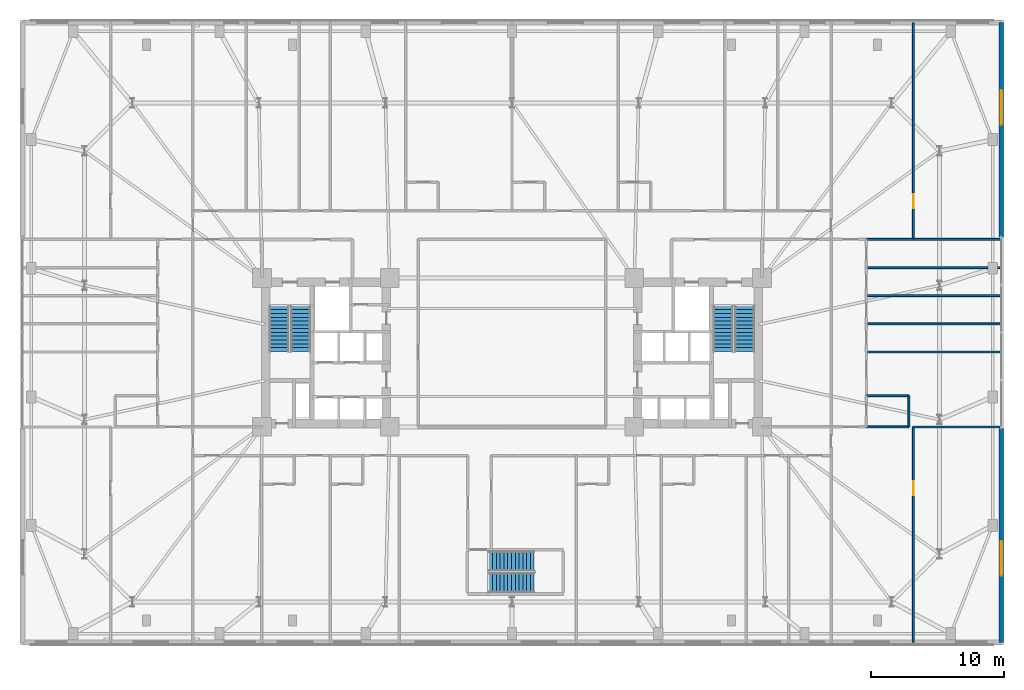
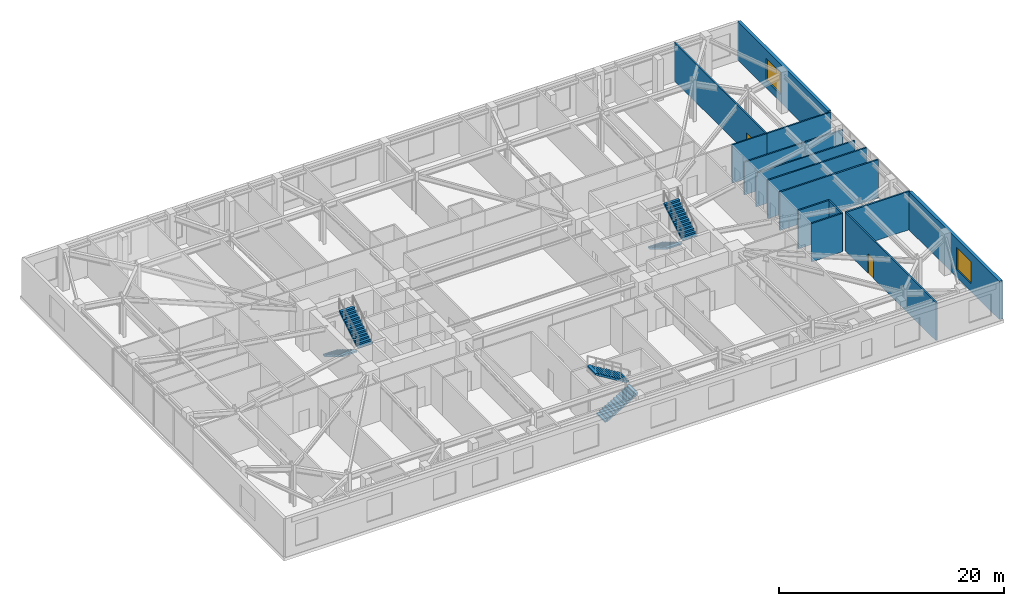
# One storey, part 17 of 21: 14 walls, 6 stair flights, 2 doors, 2 windows, 4 openings, 3 elements without a shape of their own.
"""IFC4 building model written with IfcOpenShell, lengths in metres."""

from ifc_helpers import new_model, si_unit, direction, frame, frame_2d, origin, place, context, subcontext, project, spatial, polyline, rectangle, outline, extrude, material, layer, layer_set, type_object, element, fill, aggregate, save


model = new_model("IFC4")

# Units and contexts
model_context = context("Model", 3, precision=1e-05, world=origin(), true_north=direction((0.0, 1.0)))
body_context = subcontext(model_context, "Body", "Model", "MODEL_VIEW")
ifc_project = project(units=[si_unit("LENGTHUNIT", "METRE"), si_unit("AREAUNIT", "SQUARE_METRE"), si_unit("VOLUMEUNIT", "CUBIC_METRE"), si_unit("PLANEANGLEUNIT", "RADIAN"), si_unit("MASSUNIT", "GRAM", prefix="KILO")], contexts=[model_context])

# Site, building, storey
site_placement = place(None, origin())
site = spatial("IfcSite", under=ifc_project, at=site_placement, CompositionType="ELEMENT")
building_placement = place(site_placement, origin())
building = spatial("IfcBuilding", under=site, at=building_placement, Name="Qobustan Lattice House", CompositionType="ELEMENT")
storey_placement = place(building_placement, frame((0.0, 0.0, 18.0)))
storey = spatial("IfcBuildingStorey", under=building, at=storey_placement, Name="L04", CompositionType="ELEMENT", Elevation=18.0)

# Wall, opening, window
ifc_material_1 = material(Name="Precast concrete C40/50", Category="concrete")
ifc_layer_1 = layer(ifc_material_1, 0.320068359375)
ifc_layer_set_1 = layer_set([ifc_layer_1], Name="Precast concrete C40/50")
wall_type_1 = type_object("IfcWallType", Name="WAL-EXT-STONE-320", PredefinedType="SOLIDWALL", material=ifc_layer_set_1)
wall_1_placement = place(storey_placement, frame((36.800048828125, 24.800048828125, 0.0), z_axis=(0.0, 0.0, 1.0), x_axis=(0.0, -1.0, 0.0)))
wall_1 = element("IfcWall", 1, at=wall_1_placement, inside=storey, type_object=wall_type_1, Name="L04 podium stone wall 3A", PredefinedType="SOLIDWALL", context=body_context, shape_type="SweptSolid", body=[
    extrude(rectangle(XDim=16.10009765625, YDim=0.320068359375, at=frame_2d((8.050048828125, 0.0))), origin(), (0.0, 0.0, 1.0), 4.169921875),
])
opening_1_placement = place(wall_1_placement, frame((5.0673828125, 0.0, 0.85009765625)))
opening_1 = element("IfcOpeningElement", 2, at=opening_1_placement, cuts=wall_1, Name="Opening WN-06", PredefinedType="OPENING", context=body_context, shape_type="SweptSolid", body=[
    extrude(rectangle(XDim=2.60009765625, YDim=2.39990234375, at=frame_2d((1.300048828125, 1.199951171875))), frame((0.0, 0.169921875, 0.0), z_axis=(0.0, -1.0, 0.0), x_axis=(1.0, 0.0, 0.0)), (0.0, 0.0, 1.0), 0.340087890625),
])
ifc_material_2 = material(Name="Double-glazed low-E aluminium window", Category="aluminium")
window_type = type_object("IfcWindowType", Name="WIN-POD-2600x2400", PartitioningType="SINGLE_PANEL", PredefinedType="WINDOW", material=ifc_material_2)
window_1_placement = place(opening_1_placement, origin())
window_1 = element("IfcWindow", 3, at=window_1_placement, inside=storey, type_object=window_type, Name="L04 Collaborative study room L04EN window", OverallHeight=2.39990234375, OverallWidth=2.60009765625, PartitioningType="SINGLE_PANEL", PredefinedType="WINDOW", context=body_context, shape_type="SweptSolid", body=[
    extrude(rectangle(XDim=2.60009765625, YDim=2.39990234375, at=frame_2d((1.300048828125, 1.199951171875))), frame((0.0, 0.030029296875, 0.0), z_axis=(0.0, -1.0, 0.0), x_axis=(1.0, 0.0, 0.0)), (0.0, 0.0, 1.0), 0.06005859375),
])
fill(opening_1, window_1)

wall_2_placement = place(storey_placement, frame((36.800048828125, -5.699951171875, 0.0), z_axis=(0.0, 0.0, 1.0), x_axis=(0.0, -1.0, 0.0)))
wall_2 = element("IfcWall", 4, at=wall_2_placement, inside=storey, type_object=wall_type_1, Name="L04 podium stone wall 3B", PredefinedType="SOLIDWALL", context=body_context, shape_type="SweptSolid", body=[
    extrude(rectangle(XDim=16.10009765625, YDim=0.320068359375, at=frame_2d((8.050048828125, 0.0))), origin(), (0.0, 0.0, 1.0), 4.169921875),
])
opening_2_placement = place(wall_2_placement, frame((8.484619140625, 0.0, 0.85009765625)))
opening_2 = element("IfcOpeningElement", 5, at=opening_2_placement, cuts=wall_2, Name="Opening WN-06", PredefinedType="OPENING", context=body_context, shape_type="SweptSolid", body=[
    extrude(rectangle(XDim=2.60009765625, YDim=2.39990234375, at=frame_2d((1.300048828125, 1.199951171875))), frame((0.0, 0.169921875, 0.0), z_axis=(0.0, -1.0, 0.0), x_axis=(1.0, 0.0, 0.0)), (0.0, 0.0, 1.0), 0.340087890625),
])
window_2_placement = place(opening_2_placement, origin())
window_2 = element("IfcWindow", 6, at=window_2_placement, inside=storey, type_object=window_type, Name="L04 Collaborative study room L04ES window", OverallHeight=2.39990234375, OverallWidth=2.60009765625, PartitioningType="SINGLE_PANEL", PredefinedType="WINDOW", context=body_context, shape_type="SweptSolid", body=[
    extrude(rectangle(XDim=2.60009765625, YDim=2.39990234375, at=frame_2d((1.300048828125, 1.199951171875))), frame((0.0, 0.030029296875, 0.0), z_axis=(0.0, -1.0, 0.0), x_axis=(1.0, 0.0, 0.0)), (0.0, 0.0, 1.0), 0.06005859375),
])
fill(opening_2, window_2)

# Wall, opening, door
ifc_material_3 = material(Name="Acoustic twin-stud gypsum partition", Category="gypsum")
ifc_layer_2 = layer(ifc_material_3, 0.14990234375)
ifc_layer_set_2 = layer_set([ifc_layer_2], Name="Acoustic twin-stud gypsum partition")
wall_type_2 = type_object("IfcWallType", Name="WAL-PART-150", PredefinedType="PARTITIONING", material=ifc_layer_set_2)
wall_3_placement = place(storey_placement, frame((30.18994140625, 24.800048828125, 0.0), z_axis=(0.0, 0.0, 1.0), x_axis=(0.0, -1.0, 0.0)))
wall_3 = element("IfcWall", 7, at=wall_3_placement, inside=storey, type_object=wall_type_2, Name="L04 interior partition 111", PredefinedType="PARTITIONING", context=body_context, shape_type="SweptSolid", body=[
    extrude(rectangle(XDim=16.300048828125, YDim=0.14990234375, at=frame_2d((8.14990234375, 0.0))), origin(), (0.0, 0.0, 1.0), 4.169921875),
])
opening_3_placement = place(wall_3_placement, frame((12.90869140625, 0.0, 0.0)))
opening_3 = element("IfcOpeningElement", 8, at=opening_3_placement, cuts=wall_3, Name="Opening ID-02", PredefinedType="OPENING", context=body_context, shape_type="SweptSolid", body=[
    extrude(rectangle(XDim=1.050048828125, YDim=2.14990234375, at=frame_2d((0.52490234375, 1.074951171875))), frame((0.0, 0.0849609375, 0.0), z_axis=(0.0, -1.0, 0.0), x_axis=(1.0, 0.0, 0.0)), (0.0, 0.0, 1.0), 0.169921875),
])
ifc_material_4 = material(Name="Persian walnut timber and steel frame door", Category="steel")
door_type = type_object("IfcDoorType", Name="DOR-STUDY-1050x2150", OperationType="NOTDEFINED", PredefinedType="DOOR", material=ifc_material_4)
door_1_placement = place(opening_3_placement, origin())
door_1 = element("IfcDoor", 9, at=door_1_placement, inside=storey, type_object=door_type, Name="L04 Reading seminar room L04EN to Collaborative study room L04EN door", OperationType="SINGLE_SWING_RIGHT", OverallHeight=2.14990234375, OverallWidth=1.050048828125, PredefinedType="DOOR", context=body_context, shape_type="SweptSolid", body=[
    extrude(rectangle(XDim=1.050048828125, YDim=2.14990234375, at=frame_2d((0.52490234375, 1.074951171875))), frame((0.0, 0.02490234375, 0.0), z_axis=(0.0, -1.0, 0.0), x_axis=(1.0, 0.0, 0.0)), (0.0, 0.0, 1.0), 0.050048828125),
])
fill(opening_3, door_1)

# Walls
wall_4_placement = place(storey_placement, frame((30.18994140625, 8.5, 0.0), z_axis=(0.0, 0.0, 1.0), x_axis=(-1.0, 0.0, 0.0)))
element("IfcWall", 10, at=wall_4_placement, inside=storey, type_object=wall_type_2, Name="L04 interior partition 112", PredefinedType="PARTITIONING", context=body_context, shape_type="SweptSolid", body=[
    extrude(rectangle(XDim=3.5400390625, YDim=0.14990234375, at=frame_2d((1.77001953125, 0.0))), origin(), (0.0, 0.0, 1.0), 4.169921875),
])
wall_5_placement = place(storey_placement, frame((36.800048828125, 8.5, 0.0), z_axis=(0.0, 0.0, 1.0), x_axis=(-1.0, 0.0, 0.0)))
element("IfcWall", 11, at=wall_5_placement, inside=storey, type_object=wall_type_2, Name="L04 interior partition 114", PredefinedType="PARTITIONING", context=body_context, shape_type="SweptSolid", body=[
    extrude(rectangle(XDim=6.610107421875, YDim=0.14990234375, at=frame_2d((3.30517578125, 0.0))), origin(), (0.0, 0.0, 1.0), 4.169921875),
])

# Wall, opening, door
wall_6_placement = place(storey_placement, frame((30.18994140625, -5.60009765625, 0.0), z_axis=(0.0, 0.0, 1.0), x_axis=(0.0, -1.0, 0.0)))
wall_6 = element("IfcWall", 12, at=wall_6_placement, inside=storey, type_object=wall_type_2, Name="L04 interior partition 115", PredefinedType="PARTITIONING", context=body_context, shape_type="SweptSolid", body=[
    extrude(rectangle(XDim=16.199951171875, YDim=0.14990234375, at=frame_2d((8.10009765625, 0.0))), origin(), (0.0, 0.0, 1.0), 4.169921875),
])
opening_4_placement = place(wall_6_placement, frame((4.077392578125, 0.0, 0.0)))
opening_4 = element("IfcOpeningElement", 13, at=opening_4_placement, cuts=wall_6, Name="Opening ID-02", PredefinedType="OPENING", context=body_context, shape_type="SweptSolid", body=[
    extrude(rectangle(XDim=1.050048828125, YDim=2.14990234375, at=frame_2d((0.52490234375, 1.074951171875))), frame((0.0, 0.0849609375, 0.0), z_axis=(0.0, -1.0, 0.0), x_axis=(1.0, 0.0, 0.0)), (0.0, 0.0, 1.0), 0.169921875),
])
door_2_placement = place(opening_4_placement, origin())
door_2 = element("IfcDoor", 14, at=door_2_placement, inside=storey, type_object=door_type, Name="L04 Reading seminar room L04ES to Collaborative study room L04ES door", OperationType="SINGLE_SWING_LEFT", OverallHeight=2.14990234375, OverallWidth=1.050048828125, PredefinedType="DOOR", context=body_context, shape_type="SweptSolid", body=[
    extrude(rectangle(XDim=1.050048828125, YDim=2.14990234375, at=frame_2d((0.52490234375, 1.074951171875))), frame((0.0, 0.02490234375, 0.0), z_axis=(0.0, -1.0, 0.0), x_axis=(1.0, 0.0, 0.0)), (0.0, 0.0, 1.0), 0.050048828125),
])
fill(opening_4, door_2)

# Walls
wall_7_placement = place(storey_placement, frame((26.64990234375, 2.155029296875, 0.0), z_axis=(0.0, 0.0, 1.0), x_axis=(1.0, 0.0, 0.0)))
element("IfcWall", 15, at=wall_7_placement, inside=storey, type_object=wall_type_2, Name="L04 interior partition 122", PredefinedType="PARTITIONING", context=body_context, shape_type="SweptSolid", body=[
    extrude(rectangle(XDim=10.150146484375, YDim=0.14990234375, at=frame_2d((5.0751953125, 0.0))), origin(), (0.0, 0.0, 1.0), 4.169921875),
])
wall_8_placement = place(storey_placement, frame((26.64990234375, 4.27001953125, 0.0), z_axis=(0.0, 0.0, 1.0), x_axis=(1.0, 0.0, 0.0)))
element("IfcWall", 16, at=wall_8_placement, inside=storey, type_object=wall_type_2, Name="L04 interior partition 123", PredefinedType="PARTITIONING", context=body_context, shape_type="SweptSolid", body=[
    extrude(rectangle(XDim=10.150146484375, YDim=0.14990234375, at=frame_2d((5.0751953125, 0.0))), origin(), (0.0, 0.0, 1.0), 3.655029296875),
])
wall_9_placement = place(storey_placement, frame((26.64990234375, 6.385009765625, 0.0), z_axis=(0.0, 0.0, 1.0), x_axis=(1.0, 0.0, 0.0)))
element("IfcWall", 17, at=wall_9_placement, inside=storey, type_object=wall_type_2, Name="L04 interior partition 124", PredefinedType="PARTITIONING", context=body_context, shape_type="SweptSolid", body=[
    extrude(rectangle(XDim=10.150146484375, YDim=0.14990234375, at=frame_2d((5.0751953125, 0.0))), origin(), (0.0, 0.0, 1.0), 3.554931640625),
])
ifc_material_5 = material(Name="High-mass acoustic twin-stud partition", Category="gypsum")
ifc_layer_3 = layer(ifc_material_5, 0.1650390625)
ifc_layer_set_3 = layer_set([ifc_layer_3], Name="High-mass acoustic twin-stud partition")
wall_type_3 = type_object("IfcWallType", Name="WAL-PART-165", PredefinedType="PARTITIONING", material=ifc_layer_set_3)
wall_10_placement = place(storey_placement, frame((30.18994140625, -5.60009765625, 0.0), z_axis=(0.0, 0.0, 1.0), x_axis=(1.0, 0.0, 0.0)))
element("IfcWall", 18, at=wall_10_placement, inside=storey, type_object=wall_type_3, Name="L04 interior partition 118", PredefinedType="PARTITIONING", context=body_context, shape_type="SweptSolid", body=[
    extrude(rectangle(XDim=6.610107421875, YDim=0.1650390625, at=frame_2d((3.30517578125, 0.0))), origin(), (0.0, 0.0, 1.0), 4.169921875),
])
wall_11_placement = place(storey_placement, frame((26.64990234375, 0.0400390625, 0.0), z_axis=(0.0, 0.0, 1.0), x_axis=(1.0, 0.0, 0.0)))
element("IfcWall", 19, at=wall_11_placement, inside=storey, type_object=wall_type_3, Name="L04 interior partition 121", PredefinedType="PARTITIONING", context=body_context, shape_type="SweptSolid", body=[
    extrude(rectangle(XDim=10.150146484375, YDim=0.1650390625, at=frame_2d((5.0751953125, 0.0))), origin(), (0.0, 0.0, 1.0), 4.169921875),
])
ifc_material_6 = material(Name="Moisture-resistant acoustic plumbing wall", Category="gypsum")
ifc_layer_4 = layer(ifc_material_6, 0.14990234375)
ifc_layer_set_4 = layer_set([ifc_layer_4], Name="Moisture-resistant acoustic plumbing wall")
wall_type_4 = type_object("IfcWallType", Name="WAL-WET-150", PredefinedType="PLUMBINGWALL", material=ifc_layer_set_4)
for number, where, z_axis, x_axis, name in (
    (20, (26.64990234375, -5.60009765625, 0.0), (0.0, 0.0, 1.0), (1.0, 0.0, 0.0), "L04 interior partition 116"),
    (21, (26.64990234375, -3.25, 0.0), (0.0, 0.0, 1.0), (1.0, 0.0, 0.0), "L04 interior partition 119"),
):
    element("IfcWall", number, at=place(storey_placement, frame(where, z_axis=z_axis, x_axis=x_axis)), inside=storey, type_object=wall_type_4, Name=name, PredefinedType="PLUMBINGWALL", context=body_context, shape_type="SweptSolid", body=[
        extrude(rectangle(XDim=3.2001953125, YDim=0.14990234375, at=frame_2d((1.60009765625, 0.0))), origin(), (0.0, 0.0, 1.0), 4.169921875),
    ])
wall_12_placement = place(storey_placement, frame((29.85009765625, -3.25, 0.0), z_axis=(0.0, 0.0, 1.0), x_axis=(0.0, -1.0, 0.0)))
element("IfcWall", 22, at=wall_12_placement, inside=storey, type_object=wall_type_4, Name="L04 interior partition 120", PredefinedType="PLUMBINGWALL", context=body_context, shape_type="SweptSolid", body=[
    extrude(rectangle(XDim=2.35009765625, YDim=0.14990234375, at=frame_2d((1.175048828125, 0.0))), origin(), (0.0, 0.0, 1.0), 4.169921875),
])

# Stair, stair flights
ifc_material_7 = material(Name="Concrete C40/50", Category="concrete")
stair_type_1 = type_object("IfcStairType", Name="STR-CORE-DOGLEG", PredefinedType="HALF_TURN_STAIR", material=ifc_material_7)
stair_1_placement = place(storey_placement, origin())
stair_1 = element("IfcStair", 23, at=stair_1_placement, inside=storey, type_object=stair_type_1, Name="L04 West protected exit stair ST-W1", PredefinedType="HALF_TURN_STAIR")
ifc_material_8 = material(Name="Concrete C40/50", Category="concrete")
stair_flight_type = type_object("IfcStairFlightType", Name="SFL-RC-1500", PredefinedType="STRAIGHT", material=ifc_material_8)
stair_flight_1_placement = place(storey_placement, frame((-17.5, 3.5, 0.0), z_axis=(0.0, 0.0, 1.0), x_axis=(0.0, -1.0, 0.0)))
stair_flight_1 = element("IfcStairFlight", 24, at=stair_flight_1_placement, type_object=stair_flight_type, Name="ST-W1 flight 1", NumberOfRisers=13, NumberOfTreads=12, PredefinedType="STRAIGHT", RiserHeight=0.173076923, TreadLength=0.285, context=body_context, shape_type="SweptSolid", body=[
    extrude(outline(polyline([(0.0, 0.0), (0.0, 0.173095703125), (0.284912109375, 0.173095703125), (0.284912109375, 0.34619140625), (0.570068359375, 0.34619140625), (0.570068359375, 0.519287109375), (0.85498046875, 0.519287109375), (0.85498046875, 0.6923828125), (1.139892578125, 0.6923828125), (1.139892578125, 0.865478515625), (1.425048828125, 0.865478515625), (1.425048828125, 1.03857421875), (1.7099609375, 1.03857421875), (1.7099609375, 1.21142578125), (1.9951171875, 1.21142578125), (1.9951171875, 1.384521484375), (2.280029296875, 1.384521484375), (2.280029296875, 1.5576171875), (2.56494140625, 1.5576171875), (2.56494140625, 1.730712890625), (2.85009765625, 1.730712890625), (2.85009765625, 1.90380859375), (3.135009765625, 1.90380859375), (3.135009765625, 2.076904296875), (3.419921875, 2.076904296875), (3.419921875, 2.25), (3.419921875, 1.901611328125), (0.288818359375, 0.0), (0.0, 0.0)])), frame((0.0, 0.75, 0.0), z_axis=(0.0, -1.0, 0.0), x_axis=(1.0, 0.0, 0.0)), (0.0, 0.0, 1.0), 1.5),
])
stair_flight_2_placement = place(storey_placement, frame((-15.8798828125, 0.080078125, 2.25), z_axis=(0.0, 0.0, 1.0), x_axis=(0.0, 1.0, 0.0)))
stair_flight_2 = element("IfcStairFlight", 25, at=stair_flight_2_placement, type_object=stair_flight_type, Name="ST-W1 flight 2", NumberOfRisers=13, NumberOfTreads=12, PredefinedType="STRAIGHT", RiserHeight=0.173076923, TreadLength=0.285, context=body_context, shape_type="SweptSolid", body=[
    extrude(outline(polyline([(0.0, 0.0), (0.0, 0.173095703125), (0.284912109375, 0.173095703125), (0.284912109375, 0.34619140625), (0.570068359375, 0.34619140625), (0.570068359375, 0.519287109375), (0.85498046875, 0.519287109375), (0.85498046875, 0.6923828125), (1.139892578125, 0.6923828125), (1.139892578125, 0.865478515625), (1.425048828125, 0.865478515625), (1.425048828125, 1.03857421875), (1.7099609375, 1.03857421875), (1.7099609375, 1.21142578125), (1.9951171875, 1.21142578125), (1.9951171875, 1.384521484375), (2.280029296875, 1.384521484375), (2.280029296875, 1.5576171875), (2.56494140625, 1.5576171875), (2.56494140625, 1.730712890625), (2.85009765625, 1.730712890625), (2.85009765625, 1.90380859375), (3.135009765625, 1.90380859375), (3.135009765625, 2.076904296875), (3.419921875, 2.076904296875), (3.419921875, 2.25), (3.419921875, 1.901611328125), (0.288818359375, 0.0), (0.0, 0.0)])), frame((0.0, 0.75, 0.0), z_axis=(0.0, -1.0, 0.0), x_axis=(1.0, 0.0, 0.0)), (0.0, 0.0, 1.0), 1.5),
])
aggregate(stair_1, [stair_flight_1, stair_flight_2])

stair_2_placement = place(storey_placement, origin())
stair_2 = element("IfcStair", 26, at=stair_2_placement, inside=storey, type_object=stair_type_1, Name="L04 East protected exit stair ST-E1", PredefinedType="HALF_TURN_STAIR")
stair_flight_3_placement = place(storey_placement, frame((15.8798828125, 3.5, 0.0), z_axis=(0.0, 0.0, 1.0), x_axis=(0.0, -1.0, 0.0)))
stair_flight_3 = element("IfcStairFlight", 27, at=stair_flight_3_placement, type_object=stair_flight_type, Name="ST-E1 flight 1", NumberOfRisers=13, NumberOfTreads=12, PredefinedType="STRAIGHT", RiserHeight=0.173076923, TreadLength=0.285, context=body_context, shape_type="SweptSolid", body=[
    extrude(outline(polyline([(0.0, 0.0), (0.0, 0.173095703125), (0.284912109375, 0.173095703125), (0.284912109375, 0.34619140625), (0.570068359375, 0.34619140625), (0.570068359375, 0.519287109375), (0.85498046875, 0.519287109375), (0.85498046875, 0.6923828125), (1.139892578125, 0.6923828125), (1.139892578125, 0.865478515625), (1.425048828125, 0.865478515625), (1.425048828125, 1.03857421875), (1.7099609375, 1.03857421875), (1.7099609375, 1.21142578125), (1.9951171875, 1.21142578125), (1.9951171875, 1.384521484375), (2.280029296875, 1.384521484375), (2.280029296875, 1.5576171875), (2.56494140625, 1.5576171875), (2.56494140625, 1.730712890625), (2.85009765625, 1.730712890625), (2.85009765625, 1.90380859375), (3.135009765625, 1.90380859375), (3.135009765625, 2.076904296875), (3.419921875, 2.076904296875), (3.419921875, 2.25), (3.419921875, 1.901611328125), (0.288818359375, 0.0), (0.0, 0.0)])), frame((0.0, 0.75, 0.0), z_axis=(0.0, -1.0, 0.0), x_axis=(1.0, 0.0, 0.0)), (0.0, 0.0, 1.0), 1.5),
])
stair_flight_4_placement = place(storey_placement, frame((17.5, 0.080078125, 2.25), z_axis=(0.0, 0.0, 1.0), x_axis=(0.0, 1.0, 0.0)))
stair_flight_4 = element("IfcStairFlight", 28, at=stair_flight_4_placement, type_object=stair_flight_type, Name="ST-E1 flight 2", NumberOfRisers=13, NumberOfTreads=12, PredefinedType="STRAIGHT", RiserHeight=0.173076923, TreadLength=0.285, context=body_context, shape_type="SweptSolid", body=[
    extrude(outline(polyline([(0.0, 0.0), (0.0, 0.173095703125), (0.284912109375, 0.173095703125), (0.284912109375, 0.34619140625), (0.570068359375, 0.34619140625), (0.570068359375, 0.519287109375), (0.85498046875, 0.519287109375), (0.85498046875, 0.6923828125), (1.139892578125, 0.6923828125), (1.139892578125, 0.865478515625), (1.425048828125, 0.865478515625), (1.425048828125, 1.03857421875), (1.7099609375, 1.03857421875), (1.7099609375, 1.21142578125), (1.9951171875, 1.21142578125), (1.9951171875, 1.384521484375), (2.280029296875, 1.384521484375), (2.280029296875, 1.5576171875), (2.56494140625, 1.5576171875), (2.56494140625, 1.730712890625), (2.85009765625, 1.730712890625), (2.85009765625, 1.90380859375), (3.135009765625, 1.90380859375), (3.135009765625, 2.076904296875), (3.419921875, 2.076904296875), (3.419921875, 2.25), (3.419921875, 1.901611328125), (0.288818359375, 0.0), (0.0, 0.0)])), frame((0.0, 0.75, 0.0), z_axis=(0.0, -1.0, 0.0), x_axis=(1.0, 0.0, 0.0)), (0.0, 0.0, 1.0), 1.5),
])
aggregate(stair_2, [stair_flight_3, stair_flight_4])

ifc_material_9 = material(Name="Concrete C40/50", Category="concrete")
stair_type_2 = type_object("IfcStairType", Name="STR-POD-DOGLEG", PredefinedType="DOUBLE_RETURN_STAIR", material=ifc_material_9)
stair_3_placement = place(storey_placement, origin())
stair_3 = element("IfcStair", 29, at=stair_3_placement, inside=storey, type_object=stair_type_2, Name="L04 Podium garden exit stair ST-P1", PredefinedType="DOUBLE_RETURN_STAIR")
stair_flight_5_placement = place(storey_placement, frame((-1.75, -17.31005859375, 0.0), z_axis=(0.0, 0.0, 1.0), x_axis=(1.0, 0.0, 0.0)))
stair_flight_5 = element("IfcStairFlight", 30, at=stair_flight_5_placement, type_object=stair_flight_type, Name="ST-P1 flight 1", NumberOfRisers=13, NumberOfTreads=12, PredefinedType="STRAIGHT", RiserHeight=0.173076923, TreadLength=0.285, context=body_context, shape_type="SweptSolid", body=[
    extrude(outline(polyline([(0.0, 0.0), (0.0, 0.173095703125), (0.284912109375, 0.173095703125), (0.284912109375, 0.34619140625), (0.570068359375, 0.34619140625), (0.570068359375, 0.519287109375), (0.85498046875, 0.519287109375), (0.85498046875, 0.6923828125), (1.139892578125, 0.6923828125), (1.139892578125, 0.865478515625), (1.425048828125, 0.865478515625), (1.425048828125, 1.03857421875), (1.7099609375, 1.03857421875), (1.7099609375, 1.21142578125), (1.9951171875, 1.21142578125), (1.9951171875, 1.384521484375), (2.280029296875, 1.384521484375), (2.280029296875, 1.5576171875), (2.56494140625, 1.5576171875), (2.56494140625, 1.730712890625), (2.85009765625, 1.730712890625), (2.85009765625, 1.90380859375), (3.135009765625, 1.90380859375), (3.135009765625, 2.076904296875), (3.419921875, 2.076904296875), (3.419921875, 2.25), (3.419921875, 1.901611328125), (0.288818359375, 0.0), (0.0, 0.0)])), frame((0.0, 0.75, 0.0), z_axis=(0.0, -1.0, 0.0), x_axis=(1.0, 0.0, 0.0)), (0.0, 0.0, 1.0), 1.5),
])
stair_flight_6_placement = place(storey_placement, frame((1.669921875, -15.68994140625, 2.25), z_axis=(0.0, 0.0, 1.0), x_axis=(-1.0, 0.0, 0.0)))
stair_flight_6 = element("IfcStairFlight", 31, at=stair_flight_6_placement, type_object=stair_flight_type, Name="ST-P1 flight 2", NumberOfRisers=13, NumberOfTreads=12, PredefinedType="STRAIGHT", RiserHeight=0.173076923, TreadLength=0.285, context=body_context, shape_type="SweptSolid", body=[
    extrude(outline(polyline([(0.0, 0.0), (0.0, 0.173095703125), (0.284912109375, 0.173095703125), (0.284912109375, 0.34619140625), (0.570068359375, 0.34619140625), (0.570068359375, 0.519287109375), (0.85498046875, 0.519287109375), (0.85498046875, 0.6923828125), (1.139892578125, 0.6923828125), (1.139892578125, 0.865478515625), (1.425048828125, 0.865478515625), (1.425048828125, 1.03857421875), (1.7099609375, 1.03857421875), (1.7099609375, 1.21142578125), (1.9951171875, 1.21142578125), (1.9951171875, 1.384521484375), (2.280029296875, 1.384521484375), (2.280029296875, 1.5576171875), (2.56494140625, 1.5576171875), (2.56494140625, 1.730712890625), (2.85009765625, 1.730712890625), (2.85009765625, 1.90380859375), (3.135009765625, 1.90380859375), (3.135009765625, 2.076904296875), (3.419921875, 2.076904296875), (3.419921875, 2.25), (3.419921875, 1.901611328125), (0.288818359375, 0.0), (0.0, 0.0)])), frame((0.0, 0.75, 0.0), z_axis=(0.0, -1.0, 0.0), x_axis=(1.0, 0.0, 0.0)), (0.0, 0.0, 1.0), 1.5),
])
aggregate(stair_3, [stair_flight_5, stair_flight_6])

save(model, "model.ifc")
